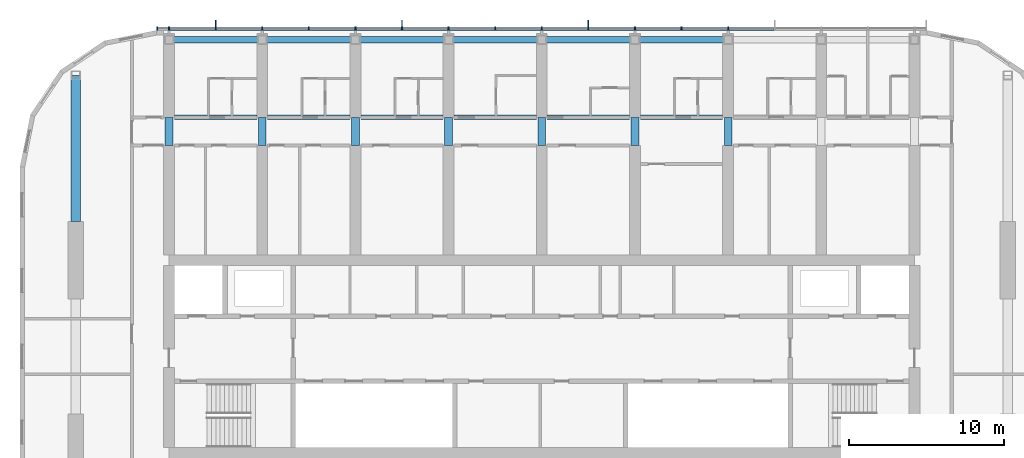
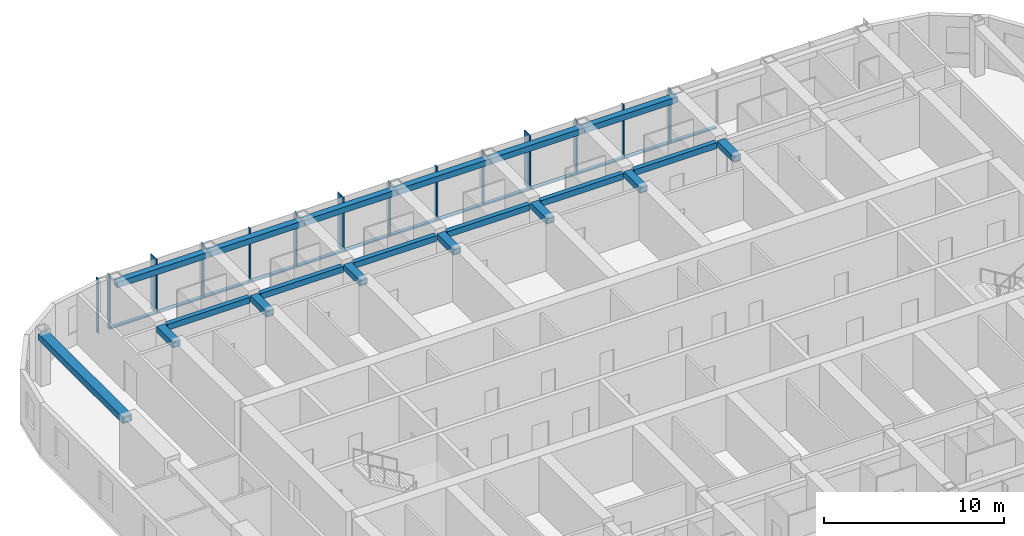
# One storey, part 4 of 23: 30 members, 20 beams, 1 element without a shape of its own.
"""IFC4 building model written with IfcOpenShell, lengths in metres."""

from ifc_helpers import new_model, si_unit, direction, frame, origin, origin_2d, place, context, subcontext, project, spatial, rectangle, hollow_rectangle, extrude, material, material_profile, profile_set, type_object, element, aggregate, save


model = new_model("IFC4")

# Units and contexts
model_context = context("Model", 3, precision=1e-05, world=origin(), true_north=direction((0.0, 1.0)))
body_context = subcontext(model_context, "Body", "Model", "MODEL_VIEW")
ifc_project = project(units=[si_unit("LENGTHUNIT", "METRE"), si_unit("AREAUNIT", "SQUARE_METRE"), si_unit("VOLUMEUNIT", "CUBIC_METRE"), si_unit("PLANEANGLEUNIT", "RADIAN"), si_unit("MASSUNIT", "GRAM", prefix="KILO")], contexts=[model_context])

# Site, building, storey
site_placement = place(None, origin())
site = spatial("IfcSite", under=ifc_project, at=site_placement, CompositionType="ELEMENT")
building_placement = place(site_placement, origin())
building = spatial("IfcBuilding", under=site, at=building_placement, Name="Orbita Commons", CompositionType="ELEMENT")
storey_placement = place(building_placement, frame((0.0, 0.0, 254.050048828125)))
storey = spatial("IfcBuildingStorey", under=building, at=storey_placement, Name="L63", CompositionType="ELEMENT", Elevation=254.050048828125)

# Curtain wall, members
ifc_material_1 = material(Name="Anodised aluminium frame, pale silver", Category="aluminium")
curtain_wall_type = type_object("IfcCurtainWallType", Name="Unitised curtain wall CW-U, full-height vision", PredefinedType="NOTDEFINED", material=ifc_material_1)
curtain_wall_placement = place(storey_placement, origin())
curtain_wall = element("IfcCurtainWall", 1, at=curtain_wall_placement, inside=storey, type_object=curtain_wall_type, Name="Curtain wall north L63", PredefinedType="NOTDEFINED")
ifc_material_2 = material(Name="Anodised aluminium, pale silver", Category="aluminium")
ifc_material_profile_1 = material_profile(ifc_material_2, rectangle(XDim=0.080078125, YDim=0.219970703125, at=origin_2d()), Name="AL 80x220")
ifc_profile_set_1 = profile_set([ifc_material_profile_1], Name="Anodised aluminium, pale silver")
member_type_1 = type_object("IfcMemberType", Name="Curtain wall mullion 80x220", PredefinedType="MULLION", material=ifc_profile_set_1)
member_1_placement = place(storey_placement, frame((54.0, 53.110107421875, -0.25), z_axis=(0.0, 0.0, 1.0), x_axis=(-1.0, 0.0, 0.0)))
member_1 = element("IfcMember", 2, at=member_1_placement, type_object=member_type_1, Name="Mullion 6 CW-L63-N", PredefinedType="MULLION", context=body_context, shape_type="SweptSolid", body=[
    extrude(rectangle(XDim=0.080078125, YDim=0.219970703125, at=origin_2d()), origin(), (0.0, 0.0, 1.0), 3.699951171875),
])
member_2_placement = place(storey_placement, frame((51.0, 53.110107421875, -0.25), z_axis=(0.0, 0.0, 1.0), x_axis=(-1.0, 0.0, 0.0)))
member_2 = element("IfcMember", 3, at=member_2_placement, type_object=member_type_1, Name="Mullion 7 CW-L63-N", PredefinedType="MULLION", context=body_context, shape_type="SweptSolid", body=[
    extrude(rectangle(XDim=0.080078125, YDim=0.219970703125, at=origin_2d()), origin(), (0.0, 0.0, 1.0), 3.699951171875),
])
member_3_placement = place(storey_placement, frame((48.0, 53.110107421875, -0.25), z_axis=(0.0, 0.0, 1.0), x_axis=(-1.0, 0.0, 0.0)))
member_3 = element("IfcMember", 4, at=member_3_placement, type_object=member_type_1, Name="Mullion 8 CW-L63-N", PredefinedType="MULLION", context=body_context, shape_type="SweptSolid", body=[
    extrude(rectangle(XDim=0.080078125, YDim=0.219970703125, at=origin_2d()), origin(), (0.0, 0.0, 1.0), 3.699951171875),
])
member_4_placement = place(storey_placement, frame((45.0, 53.110107421875, -0.25), z_axis=(0.0, 0.0, 1.0), x_axis=(-1.0, 0.0, 0.0)))
member_4 = element("IfcMember", 5, at=member_4_placement, type_object=member_type_1, Name="Mullion 9 CW-L63-N", PredefinedType="MULLION", context=body_context, shape_type="SweptSolid", body=[
    extrude(rectangle(XDim=0.080078125, YDim=0.219970703125, at=origin_2d()), origin(), (0.0, 0.0, 1.0), 3.699951171875),
])
member_5_placement = place(storey_placement, frame((42.0, 53.110107421875, -0.25), z_axis=(0.0, 0.0, 1.0), x_axis=(-1.0, 0.0, 0.0)))
member_5 = element("IfcMember", 6, at=member_5_placement, type_object=member_type_1, Name="Mullion 10 CW-L63-N", PredefinedType="MULLION", context=body_context, shape_type="SweptSolid", body=[
    extrude(rectangle(XDim=0.080078125, YDim=0.219970703125, at=origin_2d()), origin(), (0.0, 0.0, 1.0), 3.699951171875),
])
member_6_placement = place(storey_placement, frame((39.0, 53.110107421875, -0.25), z_axis=(0.0, 0.0, 1.0), x_axis=(-1.0, 0.0, 0.0)))
member_6 = element("IfcMember", 7, at=member_6_placement, type_object=member_type_1, Name="Mullion 11 CW-L63-N", PredefinedType="MULLION", context=body_context, shape_type="SweptSolid", body=[
    extrude(rectangle(XDim=0.080078125, YDim=0.219970703125, at=origin_2d()), origin(), (0.0, 0.0, 1.0), 3.699951171875),
])
member_7_placement = place(storey_placement, frame((36.0, 53.110107421875, -0.25), z_axis=(0.0, 0.0, 1.0), x_axis=(-1.0, 0.0, 0.0)))
member_7 = element("IfcMember", 8, at=member_7_placement, type_object=member_type_1, Name="Mullion 12 CW-L63-N", PredefinedType="MULLION", context=body_context, shape_type="SweptSolid", body=[
    extrude(rectangle(XDim=0.080078125, YDim=0.219970703125, at=origin_2d()), origin(), (0.0, 0.0, 1.0), 3.699951171875),
])
member_8_placement = place(storey_placement, frame((33.0, 53.110107421875, -0.25), z_axis=(0.0, 0.0, 1.0), x_axis=(-1.0, 0.0, 0.0)))
member_8 = element("IfcMember", 9, at=member_8_placement, type_object=member_type_1, Name="Mullion 13 CW-L63-N", PredefinedType="MULLION", context=body_context, shape_type="SweptSolid", body=[
    extrude(rectangle(XDim=0.080078125, YDim=0.219970703125, at=origin_2d()), origin(), (0.0, 0.0, 1.0), 3.699951171875),
])
member_9_placement = place(storey_placement, frame((30.0, 53.110107421875, -0.25), z_axis=(0.0, 0.0, 1.0), x_axis=(-1.0, 0.0, 0.0)))
member_9 = element("IfcMember", 10, at=member_9_placement, type_object=member_type_1, Name="Mullion 14 CW-L63-N", PredefinedType="MULLION", context=body_context, shape_type="SweptSolid", body=[
    extrude(rectangle(XDim=0.080078125, YDim=0.219970703125, at=origin_2d()), origin(), (0.0, 0.0, 1.0), 3.699951171875),
])
member_10_placement = place(storey_placement, frame((27.0, 53.110107421875, -0.25), z_axis=(0.0, 0.0, 1.0), x_axis=(-1.0, 0.0, 0.0)))
member_10 = element("IfcMember", 11, at=member_10_placement, type_object=member_type_1, Name="Mullion 15 CW-L63-N", PredefinedType="MULLION", context=body_context, shape_type="SweptSolid", body=[
    extrude(rectangle(XDim=0.080078125, YDim=0.219970703125, at=origin_2d()), origin(), (0.0, 0.0, 1.0), 3.699951171875),
])
member_11_placement = place(storey_placement, frame((24.0, 53.110107421875, -0.25), z_axis=(0.0, 0.0, 1.0), x_axis=(-1.0, 0.0, 0.0)))
member_11 = element("IfcMember", 12, at=member_11_placement, type_object=member_type_1, Name="Mullion 16 CW-L63-N", PredefinedType="MULLION", context=body_context, shape_type="SweptSolid", body=[
    extrude(rectangle(XDim=0.080078125, YDim=0.219970703125, at=origin_2d()), origin(), (0.0, 0.0, 1.0), 3.699951171875),
])
member_12_placement = place(storey_placement, frame((21.0, 53.110107421875, -0.25), z_axis=(0.0, 0.0, 1.0), x_axis=(-1.0, 0.0, 0.0)))
member_12 = element("IfcMember", 13, at=member_12_placement, type_object=member_type_1, Name="Mullion 17 CW-L63-N", PredefinedType="MULLION", context=body_context, shape_type="SweptSolid", body=[
    extrude(rectangle(XDim=0.080078125, YDim=0.219970703125, at=origin_2d()), origin(), (0.0, 0.0, 1.0), 3.699951171875),
])
member_13_placement = place(storey_placement, frame((18.0, 53.110107421875, -0.25), z_axis=(0.0, 0.0, 1.0), x_axis=(-1.0, 0.0, 0.0)))
member_13 = element("IfcMember", 14, at=member_13_placement, type_object=member_type_1, Name="Mullion 18 CW-L63-N", PredefinedType="MULLION", context=body_context, shape_type="SweptSolid", body=[
    extrude(rectangle(XDim=0.080078125, YDim=0.219970703125, at=origin_2d()), origin(), (0.0, 0.0, 1.0), 3.699951171875),
])
member_14_placement = place(storey_placement, frame((17.239990234375, 53.110107421875, -0.25), z_axis=(0.0, 0.0, 1.0), x_axis=(-1.0, 0.0, 0.0)))
member_14 = element("IfcMember", 15, at=member_14_placement, type_object=member_type_1, Name="Mullion 19 CW-L63-N", PredefinedType="MULLION", context=body_context, shape_type="SweptSolid", body=[
    extrude(rectangle(XDim=0.080078125, YDim=0.219970703125, at=origin_2d()), origin(), (0.0, 0.0, 1.0), 3.699951171875),
])
ifc_material_3 = material(Name="Anodised aluminium, pale silver", Category="aluminium")
ifc_material_profile_2 = material_profile(ifc_material_3, rectangle(XDim=0.219970703125, YDim=0.10009765625, at=origin_2d()), Name="AL 220x100")
ifc_profile_set_2 = profile_set([ifc_material_profile_2], Name="Anodised aluminium, pale silver")
member_type_2 = type_object("IfcMemberType", Name="Curtain wall stack transom 220x100", PredefinedType="USERDEFINED", material=ifc_profile_set_2)
member_15_placement = place(storey_placement, frame((56.9599609375, 53.110107421875, -0.199951171875), z_axis=(-1.0, 0.0, 0.0), x_axis=(0.0, -1.0, 0.0)))
member_15 = element("IfcMember", 16, at=member_15_placement, type_object=member_type_2, Name="Transom 5.1 CW-L63-N", ObjectType="TRANSOM", PredefinedType="USERDEFINED", context=body_context, shape_type="SweptSolid", body=[
    extrude(rectangle(XDim=0.219970703125, YDim=0.10009765625, at=origin_2d()), origin(), (0.0, 0.0, 1.0), 2.919921875),
])
member_16_placement = place(storey_placement, frame((53.9599609375, 53.110107421875, -0.199951171875), z_axis=(-1.0, 0.0, 0.0), x_axis=(0.0, -1.0, 0.0)))
member_16 = element("IfcMember", 17, at=member_16_placement, type_object=member_type_2, Name="Transom 6.1 CW-L63-N", ObjectType="TRANSOM", PredefinedType="USERDEFINED", context=body_context, shape_type="SweptSolid", body=[
    extrude(rectangle(XDim=0.219970703125, YDim=0.10009765625, at=origin_2d()), origin(), (0.0, 0.0, 1.0), 2.919921875),
])
member_17_placement = place(storey_placement, frame((50.9599609375, 53.110107421875, -0.199951171875), z_axis=(-1.0, 0.0, 0.0), x_axis=(0.0, -1.0, 0.0)))
member_17 = element("IfcMember", 18, at=member_17_placement, type_object=member_type_2, Name="Transom 7.1 CW-L63-N", ObjectType="TRANSOM", PredefinedType="USERDEFINED", context=body_context, shape_type="SweptSolid", body=[
    extrude(rectangle(XDim=0.219970703125, YDim=0.10009765625, at=origin_2d()), origin(), (0.0, 0.0, 1.0), 2.919921875),
])
member_18_placement = place(storey_placement, frame((47.9599609375, 53.110107421875, -0.199951171875), z_axis=(-1.0, 0.0, 0.0), x_axis=(0.0, -1.0, 0.0)))
member_18 = element("IfcMember", 19, at=member_18_placement, type_object=member_type_2, Name="Transom 8.1 CW-L63-N", ObjectType="TRANSOM", PredefinedType="USERDEFINED", context=body_context, shape_type="SweptSolid", body=[
    extrude(rectangle(XDim=0.219970703125, YDim=0.10009765625, at=origin_2d()), origin(), (0.0, 0.0, 1.0), 2.919921875),
])
member_19_placement = place(storey_placement, frame((44.9599609375, 53.110107421875, -0.199951171875), z_axis=(-1.0, 0.0, 0.0), x_axis=(0.0, -1.0, 0.0)))
member_19 = element("IfcMember", 20, at=member_19_placement, type_object=member_type_2, Name="Transom 9.1 CW-L63-N", ObjectType="TRANSOM", PredefinedType="USERDEFINED", context=body_context, shape_type="SweptSolid", body=[
    extrude(rectangle(XDim=0.219970703125, YDim=0.10009765625, at=origin_2d()), origin(), (0.0, 0.0, 1.0), 2.919921875),
])
member_20_placement = place(storey_placement, frame((41.9599609375, 53.110107421875, -0.199951171875), z_axis=(-1.0, 0.0, 0.0), x_axis=(0.0, -1.0, 0.0)))
member_20 = element("IfcMember", 21, at=member_20_placement, type_object=member_type_2, Name="Transom 10.1 CW-L63-N", ObjectType="TRANSOM", PredefinedType="USERDEFINED", context=body_context, shape_type="SweptSolid", body=[
    extrude(rectangle(XDim=0.219970703125, YDim=0.10009765625, at=origin_2d()), origin(), (0.0, 0.0, 1.0), 2.919921875),
])
member_21_placement = place(storey_placement, frame((38.9599609375, 53.110107421875, -0.199951171875), z_axis=(-1.0, 0.0, 0.0), x_axis=(0.0, -1.0, 0.0)))
member_21 = element("IfcMember", 22, at=member_21_placement, type_object=member_type_2, Name="Transom 11.1 CW-L63-N", ObjectType="TRANSOM", PredefinedType="USERDEFINED", context=body_context, shape_type="SweptSolid", body=[
    extrude(rectangle(XDim=0.219970703125, YDim=0.10009765625, at=origin_2d()), origin(), (0.0, 0.0, 1.0), 2.919921875),
])
member_22_placement = place(storey_placement, frame((35.9599609375, 53.110107421875, -0.199951171875), z_axis=(-1.0, 0.0, 0.0), x_axis=(0.0, -1.0, 0.0)))
member_22 = element("IfcMember", 23, at=member_22_placement, type_object=member_type_2, Name="Transom 12.1 CW-L63-N", ObjectType="TRANSOM", PredefinedType="USERDEFINED", context=body_context, shape_type="SweptSolid", body=[
    extrude(rectangle(XDim=0.219970703125, YDim=0.10009765625, at=origin_2d()), origin(), (0.0, 0.0, 1.0), 2.919921875),
])
member_23_placement = place(storey_placement, frame((32.9599609375, 53.110107421875, -0.199951171875), z_axis=(-1.0, 0.0, 0.0), x_axis=(0.0, -1.0, 0.0)))
member_23 = element("IfcMember", 24, at=member_23_placement, type_object=member_type_2, Name="Transom 13.1 CW-L63-N", ObjectType="TRANSOM", PredefinedType="USERDEFINED", context=body_context, shape_type="SweptSolid", body=[
    extrude(rectangle(XDim=0.219970703125, YDim=0.10009765625, at=origin_2d()), origin(), (0.0, 0.0, 1.0), 2.919921875),
])
member_24_placement = place(storey_placement, frame((29.9599609375, 53.110107421875, -0.199951171875), z_axis=(-1.0, 0.0, 0.0), x_axis=(0.0, -1.0, 0.0)))
member_24 = element("IfcMember", 25, at=member_24_placement, type_object=member_type_2, Name="Transom 14.1 CW-L63-N", ObjectType="TRANSOM", PredefinedType="USERDEFINED", context=body_context, shape_type="SweptSolid", body=[
    extrude(rectangle(XDim=0.219970703125, YDim=0.10009765625, at=origin_2d()), origin(), (0.0, 0.0, 1.0), 2.919921875),
])
member_25_placement = place(storey_placement, frame((26.9599609375, 53.110107421875, -0.199951171875), z_axis=(-1.0, 0.0, 0.0), x_axis=(0.0, -1.0, 0.0)))
member_25 = element("IfcMember", 26, at=member_25_placement, type_object=member_type_2, Name="Transom 15.1 CW-L63-N", ObjectType="TRANSOM", PredefinedType="USERDEFINED", context=body_context, shape_type="SweptSolid", body=[
    extrude(rectangle(XDim=0.219970703125, YDim=0.10009765625, at=origin_2d()), origin(), (0.0, 0.0, 1.0), 2.919921875),
])
member_26_placement = place(storey_placement, frame((23.9599609375, 53.110107421875, -0.199951171875), z_axis=(-1.0, 0.0, 0.0), x_axis=(0.0, -1.0, 0.0)))
member_26 = element("IfcMember", 27, at=member_26_placement, type_object=member_type_2, Name="Transom 16.1 CW-L63-N", ObjectType="TRANSOM", PredefinedType="USERDEFINED", context=body_context, shape_type="SweptSolid", body=[
    extrude(rectangle(XDim=0.219970703125, YDim=0.10009765625, at=origin_2d()), origin(), (0.0, 0.0, 1.0), 2.919921875),
])
member_27_placement = place(storey_placement, frame((20.9599609375, 53.110107421875, -0.199951171875), z_axis=(-1.0, 0.0, 0.0), x_axis=(0.0, -1.0, 0.0)))
member_27 = element("IfcMember", 28, at=member_27_placement, type_object=member_type_2, Name="Transom 17.1 CW-L63-N", ObjectType="TRANSOM", PredefinedType="USERDEFINED", context=body_context, shape_type="SweptSolid", body=[
    extrude(rectangle(XDim=0.219970703125, YDim=0.10009765625, at=origin_2d()), origin(), (0.0, 0.0, 1.0), 2.919921875),
])

# Beams
ifc_material_4 = material(Name="Steel ASTM A572 Gr 50 welded plate", Category="steel")
ifc_material_profile_3 = material_profile(ifc_material_4, hollow_rectangle(XDim=0.300048828125, YDim=0.39990234375, WallThickness=0.0400390625, at=origin_2d()), Name="BOX 400x300x40")
ifc_profile_set_3 = profile_set([ifc_material_profile_3], Name="Steel ASTM A572 Gr 50 welded plate")
beam_type_1 = type_object("IfcBeamType", Name="Steel corridor link BOX 400x300x40", PredefinedType="BEAM", material=ifc_profile_set_3)
for number, where, z_axis, x_axis, name in (
    (29, (18.35009765625, 47.39990234375, 3.25), (1.0, 0.0, 0.0), (0.0, 1.0, 0.0), "Corridor beam NB 4-5 L63"),
    (30, (24.35009765625, 47.39990234375, 3.25), (1.0, 0.0, 0.0), (0.0, 1.0, 0.0), "Corridor beam NB 5-6 L63"),
    (31, (30.35009765625, 47.39990234375, 3.25), (1.0, 0.0, 0.0), (0.0, 1.0, 0.0), "Corridor beam NB 6-7 L63"),
    (32, (36.35009765625, 47.39990234375, 3.25), (1.0, 0.0, 0.0), (0.0, 1.0, 0.0), "Corridor beam NB 7-8 L63"),
    (33, (42.35009765625, 47.39990234375, 3.25), (1.0, 0.0, 0.0), (0.0, 1.0, 0.0), "Corridor beam NB 8-9 L63"),
    (34, (48.35009765625, 47.39990234375, 3.25), (1.0, 0.0, 0.0), (0.0, 1.0, 0.0), "Corridor beam NB 9-10 L63"),
):
    element("IfcBeam", number, at=place(storey_placement, frame(where, z_axis=z_axis, x_axis=x_axis)), inside=storey, type_object=beam_type_1, Name=name, PredefinedType="BEAM", context=body_context, shape_type="SweptSolid", body=[
        extrude(hollow_rectangle(XDim=0.300048828125, YDim=0.39990234375, WallThickness=0.0400390625, at=origin_2d()), origin(), (0.0, 0.0, 1.0), 5.2998046875),
    ])
ifc_material_5 = material(Name="Steel ASTM A572 Gr 50 welded plate", Category="steel")
ifc_material_profile_4 = material_profile(ifc_material_5, hollow_rectangle(XDim=0.5, YDim=0.39990234375, WallThickness=0.050048828125, at=origin_2d()), Name="BOX 400x500x50")
ifc_profile_set_4 = profile_set([ifc_material_profile_4], Name="Steel ASTM A572 Gr 50 welded plate")
beam_type_2 = type_object("IfcBeamType", Name="Steel coupling link BOX 400x500x50", PredefinedType="LINTEL", material=ifc_profile_set_4)
for number, where, z_axis, x_axis, name in (
    (35, (18.0, 45.60009765625, 3.25), (0.0, 1.0, 0.0), (-1.0, 0.0, 0.0), "Coupling beam 4 north L63"),
    (36, (24.0, 45.60009765625, 3.25), (0.0, 1.0, 0.0), (-1.0, 0.0, 0.0), "Coupling beam 5 north L63"),
    (37, (30.0, 45.60009765625, 3.25), (0.0, 1.0, 0.0), (-1.0, 0.0, 0.0), "Coupling beam 6 north L63"),
    (38, (36.0, 45.60009765625, 3.25), (0.0, 1.0, 0.0), (-1.0, 0.0, 0.0), "Coupling beam 7 north L63"),
    (39, (42.0, 45.60009765625, 3.25), (0.0, 1.0, 0.0), (-1.0, 0.0, 0.0), "Coupling beam 8 north L63"),
    (40, (48.0, 45.60009765625, 3.25), (0.0, 1.0, 0.0), (-1.0, 0.0, 0.0), "Coupling beam 9 north L63"),
    (41, (54.0, 45.60009765625, 3.25), (0.0, 1.0, 0.0), (-1.0, 0.0, 0.0), "Coupling beam 10 north L63"),
):
    element("IfcBeam", number, at=place(storey_placement, frame(where, z_axis=z_axis, x_axis=x_axis)), inside=storey, type_object=beam_type_2, Name=name, PredefinedType="LINTEL", context=body_context, shape_type="SweptSolid", body=[
        extrude(hollow_rectangle(XDim=0.5, YDim=0.39990234375, WallThickness=0.050048828125, at=origin_2d()), origin(), (0.0, 0.0, 1.0), 1.7998046875),
    ])
ifc_material_6 = material(Name="Steel ASTM A572 Gr 50 welded plate", Category="steel")
ifc_material_profile_5 = material_profile(ifc_material_6, hollow_rectangle(XDim=0.60009765625, YDim=0.449951171875, WallThickness=0.06005859375, at=origin_2d()), Name="BOX 450x600x60")
ifc_profile_set_5 = profile_set([ifc_material_profile_5], Name="Steel ASTM A572 Gr 50 welded plate")
beam_type_3 = type_object("IfcBeamType", Name="Steel end frame link BOX 450x600x60", PredefinedType="BEAM", material=ifc_profile_set_5)
beam_placement = place(storey_placement, frame((12.0, 40.699951171875, 3.224853515625), z_axis=(0.0, 1.0, 0.0), x_axis=(-1.0, 0.0, 0.0)))
element("IfcBeam", 42, at=beam_placement, inside=storey, type_object=beam_type_3, Name="End frame beam 3 D-E L63", PredefinedType="BEAM", context=body_context, shape_type="SweptSolid", body=[
    extrude(hollow_rectangle(XDim=0.60009765625, YDim=0.449951171875, WallThickness=0.06005859375, at=origin_2d()), origin(), (0.0, 0.0, 1.0), 9.400146484375),
])
ifc_material_7 = material(Name="Steel ASTM A572 Gr 50 welded plate", Category="steel")
ifc_material_profile_6 = material_profile(ifc_material_7, hollow_rectangle(XDim=0.39990234375, YDim=0.39990234375, WallThickness=0.0400390625, at=origin_2d()), Name="BOX 400x400x40")
ifc_profile_set_6 = profile_set([ifc_material_profile_6], Name="Steel ASTM A572 Gr 50 welded plate")
beam_type_4 = type_object("IfcBeamType", Name="Steel spandrel BOX 400x400x40", PredefinedType="SPANDREL", material=ifc_profile_set_6)
for number, where, z_axis, x_axis, name in (
    (43, (18.0, 52.39990234375, 3.25), (1.0, 0.0, 0.0), (0.0, 1.0, 0.0), "Spandrel beam E 4-5 L63"),
    (44, (24.0, 52.39990234375, 3.25), (1.0, 0.0, 0.0), (0.0, 1.0, 0.0), "Spandrel beam E 5-6 L63"),
    (45, (30.0, 52.39990234375, 3.25), (1.0, 0.0, 0.0), (0.0, 1.0, 0.0), "Spandrel beam E 6-7 L63"),
    (46, (36.0, 52.39990234375, 3.25), (1.0, 0.0, 0.0), (0.0, 1.0, 0.0), "Spandrel beam E 7-8 L63"),
    (47, (42.0, 52.39990234375, 3.25), (1.0, 0.0, 0.0), (0.0, 1.0, 0.0), "Spandrel beam E 8-9 L63"),
    (48, (48.0, 52.39990234375, 3.25), (1.0, 0.0, 0.0), (0.0, 1.0, 0.0), "Spandrel beam E 9-10 L63"),
):
    element("IfcBeam", number, at=place(storey_placement, frame(where, z_axis=z_axis, x_axis=x_axis)), inside=storey, type_object=beam_type_4, Name=name, PredefinedType="SPANDREL", context=body_context, shape_type="SweptSolid", body=[
        extrude(hollow_rectangle(XDim=0.39990234375, YDim=0.39990234375, WallThickness=0.0400390625, at=origin_2d()), origin(), (0.0, 0.0, 1.0), 6.0),
    ])

# Member
ifc_material_8 = material(Name="Anodised aluminium, pale silver", Category="aluminium")
ifc_material_profile_7 = material_profile(ifc_material_8, rectangle(XDim=0.06005859375, YDim=0.449951171875, at=origin_2d()), Name="FIN 60x450")
ifc_profile_set_7 = profile_set([ifc_material_profile_7], Name="Anodised aluminium, pale silver")
member_type_3 = type_object("IfcMemberType", Name="Vertical fin 60x450 pale aluminium", PredefinedType="USERDEFINED", material=ifc_profile_set_7)
member_28_placement = place(storey_placement, frame((45.0, 53.445068359375, -0.25), z_axis=(0.0, 0.0, 1.0), x_axis=(-1.0, 0.0, 0.0)))
member_28 = element("IfcMember", 49, at=member_28_placement, type_object=member_type_3, Name="Fin 9 CW-L63-N", ObjectType="FIN", PredefinedType="USERDEFINED", context=body_context, shape_type="SweptSolid", body=[
    extrude(rectangle(XDim=0.06005859375, YDim=0.449951171875, at=origin_2d()), origin(), (0.0, 0.0, 1.0), 3.699951171875),
])

member_29_placement = place(storey_placement, frame((33.0, 53.445068359375, -0.25), z_axis=(0.0, 0.0, 1.0), x_axis=(-1.0, 0.0, 0.0)))
member_29 = element("IfcMember", 50, at=member_29_placement, type_object=member_type_3, Name="Fin 13 CW-L63-N", ObjectType="FIN", PredefinedType="USERDEFINED", context=body_context, shape_type="SweptSolid", body=[
    extrude(rectangle(XDim=0.06005859375, YDim=0.449951171875, at=origin_2d()), origin(), (0.0, 0.0, 1.0), 3.699951171875),
])

member_30_placement = place(storey_placement, frame((21.0, 53.445068359375, -0.25), z_axis=(0.0, 0.0, 1.0), x_axis=(-1.0, 0.0, 0.0)))
member_30 = element("IfcMember", 51, at=member_30_placement, type_object=member_type_3, Name="Fin 17 CW-L63-N", ObjectType="FIN", PredefinedType="USERDEFINED", context=body_context, shape_type="SweptSolid", body=[
    extrude(rectangle(XDim=0.06005859375, YDim=0.449951171875, at=origin_2d()), origin(), (0.0, 0.0, 1.0), 3.699951171875),
])

aggregate(curtain_wall, [member_1, member_2, member_3, member_4, member_28, member_5, member_6, member_7, member_8, member_29, member_9, member_10, member_11, member_12, member_30, member_13, member_14, member_15, member_16, member_17, member_18, member_19, member_20, member_21, member_22, member_23, member_24, member_25, member_26, member_27])

save(model, "model.ifc")
